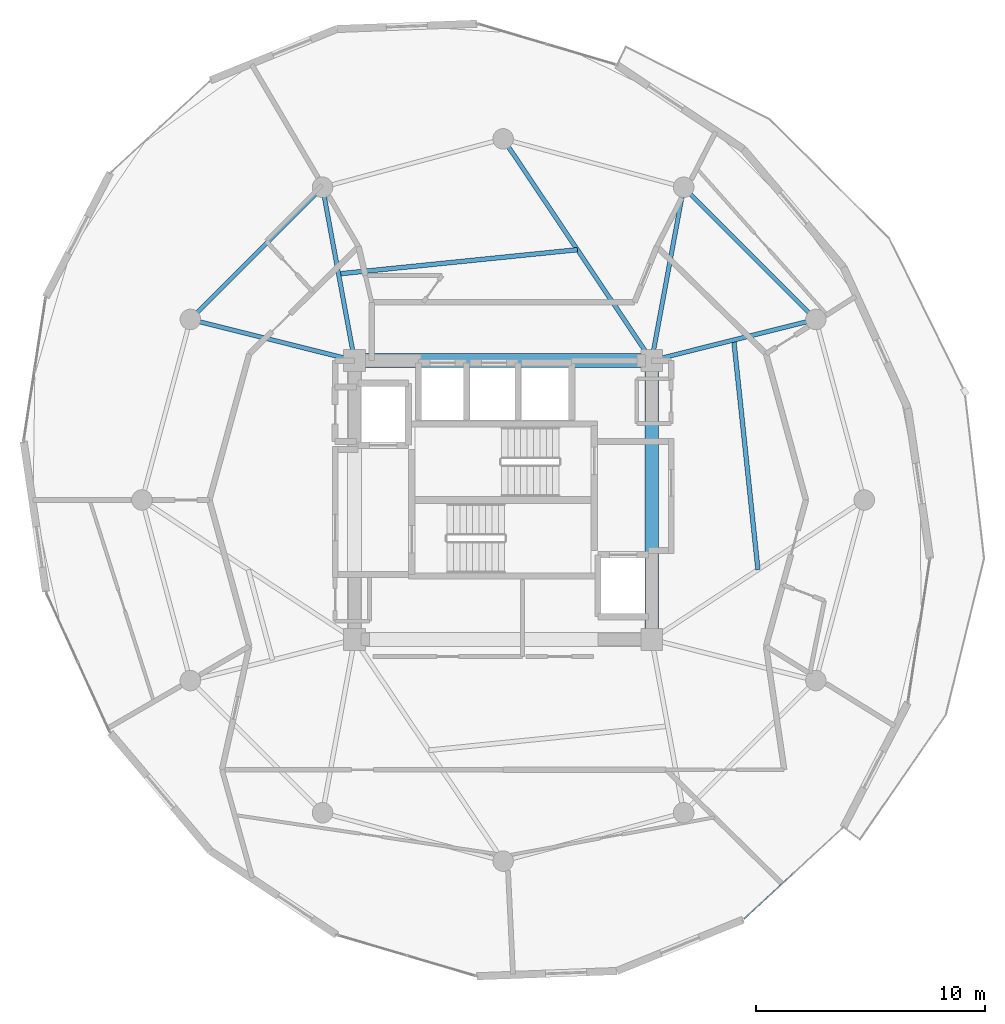
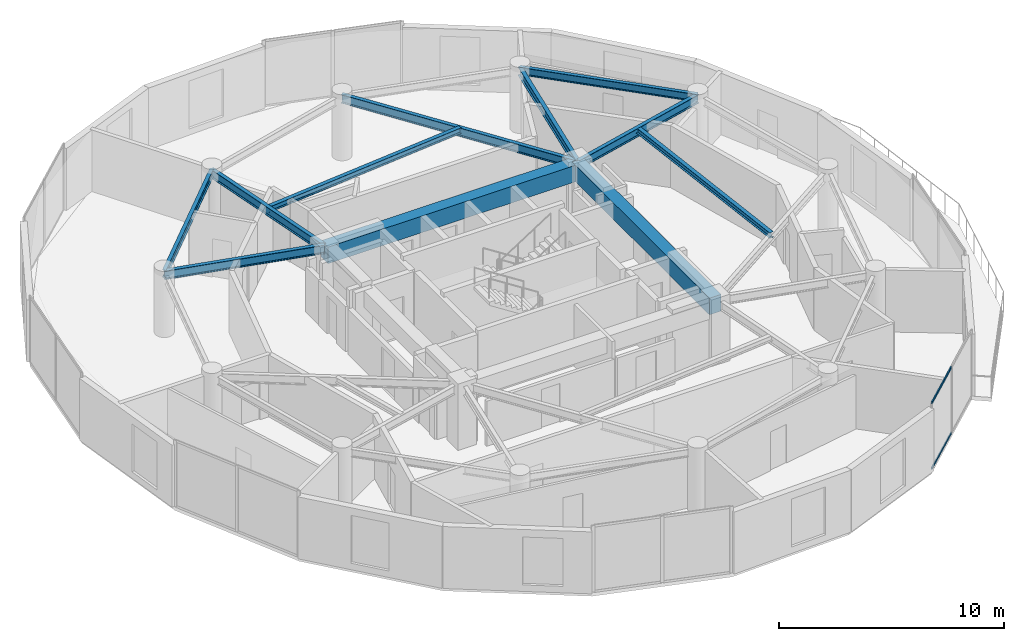
# One storey, part 11 of 24: 11 beams, 2 members, 1 element without a shape of its own.
"""IFC4 building model written with IfcOpenShell, lengths in metres."""

from ifc_helpers import new_model, si_unit, direction, frame, origin, origin_2d, place, context, subcontext, project, spatial, rectangle, hollow_rectangle, i_section, extrude, source, transform, mapped, material, layer, layer_set, material_profile, profile_set, type_object, element, aggregate, save


model = new_model("IFC4")

# Units and contexts
model_context = context("Model", 3, precision=1e-05, world=origin(), true_north=direction((0.0, 1.0)))
body_context = subcontext(model_context, "Body", "Model", "MODEL_VIEW")
ifc_project = project(units=[si_unit("LENGTHUNIT", "METRE"), si_unit("AREAUNIT", "SQUARE_METRE"), si_unit("VOLUMEUNIT", "CUBIC_METRE"), si_unit("PLANEANGLEUNIT", "RADIAN"), si_unit("MASSUNIT", "GRAM", prefix="KILO")], contexts=[model_context])

# Site, building, storey
site_placement = place(None, origin())
site = spatial("IfcSite", under=ifc_project, at=site_placement, CompositionType="ELEMENT")
building_placement = place(site_placement, origin())
building = spatial("IfcBuilding", under=site, at=building_placement, Name="Solvirekh Grand Hotel", CompositionType="ELEMENT")
storey_placement = place(building_placement, frame((0.0, 0.0, 184.0)))
storey = spatial("IfcBuildingStorey", under=building, at=storey_placement, Name="L47", CompositionType="ELEMENT", Elevation=184.0)

# Beams
ifc_material_1 = material(Name="Concrete C50/60", Category="concrete")
ifc_material_profile_1 = material_profile(ifc_material_1, rectangle(XDim=0.60009765625, YDim=0.89990234375, at=origin_2d()), Name="RC BEAM 600X900")
ifc_profile_set_1 = profile_set([ifc_material_profile_1], Name="Concrete C50/60")
beam_type_1 = type_object("IfcBeamType", Name="Beam_Core_RC900", PredefinedType="BEAM", material=ifc_profile_set_1)
beam_1_placement = place(storey_placement, frame((6.5, -6.10009765625, 2.909912109375), z_axis=(0.0, 1.0, 0.0), x_axis=(-1.0, 0.0, 0.0)))
element("IfcBeam", 1, at=beam_1_placement, inside=storey, type_object=beam_type_1, Name="L47 core coupling ring beam 2", PredefinedType="BEAM", context=body_context, shape_type="SweptSolid", body=[
    extrude(rectangle(XDim=0.60009765625, YDim=0.89990234375, at=origin_2d()), origin(), (0.0, 0.0, 1.0), 12.2001953125),
])
beam_2_placement = place(storey_placement, frame((6.5, 6.10009765625, 2.909912109375), z_axis=(-1.0, 0.0, 0.0), x_axis=(0.0, -1.0, 0.0)))
element("IfcBeam", 2, at=beam_2_placement, inside=storey, type_object=beam_type_1, Name="L47 core coupling ring beam 3", PredefinedType="BEAM", context=body_context, shape_type="SweptSolid", body=[
    extrude(rectangle(XDim=0.60009765625, YDim=0.89990234375, at=origin_2d()), origin(), (0.0, 0.0, 1.0), 13.0),
])
ifc_material_2 = material(Name="Steel S355", Category="steel")
ifc_material_profile_2 = material_profile(ifc_material_2, i_section(OverallWidth=0.194091796875, OverallDepth=0.468994140625, WebThickness=0.010986328125, FlangeThickness=0.01904296875, FilletRadius=0.012939453125, at=origin_2d()), Name="W460X106")
ifc_profile_set_2 = profile_set([ifc_material_profile_2], Name="Steel S355")
beam_type_2 = type_object("IfcBeamType", Name="Beam_Radial_W460H", PredefinedType="BEAM", material=ifc_profile_set_2)
beam_3_placement = place(storey_placement, frame((6.5, 6.10009765625, 3.1259765625), z_axis=(0.970014367692, 0.243047580675, 0.0), x_axis=(-0.243047580675, 0.970014367692, 0.0)))
element("IfcBeam", 3, at=beam_3_placement, inside=storey, type_object=beam_type_2, Name="L47 radial floor beam R02", PredefinedType="BEAM", context=body_context, shape_type="SweptSolid", body=[
    extrude(i_section(OverallWidth=0.194091796875, OverallDepth=0.468994140625, WebThickness=0.010986328125, FlangeThickness=0.01904296875, FilletRadius=0.012939453125, at=origin_2d()), origin(), (0.0, 0.0, 1.0), 7.4052734375),
])
beam_4_placement = place(storey_placement, frame((6.5, 6.10009765625, 3.1259765625), z_axis=(0.181542769111, 0.983383049978, 0.0), x_axis=(-0.983383049978, 0.181542769111, 0.0)))
element("IfcBeam", 4, at=beam_4_placement, inside=storey, type_object=beam_type_2, Name="L47 radial floor beam R03", PredefinedType="BEAM", context=body_context, shape_type="SweptSolid", body=[
    extrude(i_section(OverallWidth=0.194091796875, OverallDepth=0.468994140625, WebThickness=0.010986328125, FlangeThickness=0.01904296875, FilletRadius=0.012939453125, at=origin_2d()), origin(), (0.0, 0.0, 1.0), 7.711181640625),
])
beam_5_placement = place(storey_placement, frame((6.5, 6.10009765625, 3.1259765625), z_axis=(-0.556676926176, 0.830729077295, 0.0), x_axis=(-0.830729077295, -0.556676926176, 0.0)))
element("IfcBeam", 5, at=beam_5_placement, inside=storey, type_object=beam_type_2, Name="L47 radial floor beam R04", PredefinedType="BEAM", context=body_context, shape_type="SweptSolid", body=[
    extrude(i_section(OverallWidth=0.194091796875, OverallDepth=0.468994140625, WebThickness=0.010986328125, FlangeThickness=0.01904296875, FilletRadius=0.012939453125, at=origin_2d()), origin(), (0.0, 0.0, 1.0), 11.676513671875),
])
beam_6_placement = place(storey_placement, frame((-6.5, 6.10009765625, 3.1259765625), z_axis=(-0.181542769111, 0.983383049978, 0.0), x_axis=(-0.983383049978, -0.181542769111, 0.0)))
element("IfcBeam", 6, at=beam_6_placement, inside=storey, type_object=beam_type_2, Name="L47 radial floor beam R05", PredefinedType="BEAM", context=body_context, shape_type="SweptSolid", body=[
    extrude(i_section(OverallWidth=0.194091796875, OverallDepth=0.468994140625, WebThickness=0.010986328125, FlangeThickness=0.01904296875, FilletRadius=0.012939453125, at=origin_2d()), origin(), (0.0, 0.0, 1.0), 7.711181640625),
])
beam_7_placement = place(storey_placement, frame((-6.5, 6.10009765625, 3.1259765625), z_axis=(-0.970014367692, 0.243047580675, 0.0), x_axis=(-0.243047580675, -0.970014367692, 0.0)))
element("IfcBeam", 7, at=beam_7_placement, inside=storey, type_object=beam_type_2, Name="L47 radial floor beam R06", PredefinedType="BEAM", context=body_context, shape_type="SweptSolid", body=[
    extrude(i_section(OverallWidth=0.194091796875, OverallDepth=0.468994140625, WebThickness=0.010986328125, FlangeThickness=0.01904296875, FilletRadius=0.012939453125, at=origin_2d()), origin(), (0.0, 0.0, 1.0), 7.4052734375),
])
ifc_material_profile_3 = material_profile(ifc_material_2, i_section(OverallWidth=0.202880859375, OverallDepth=0.302978515625, WebThickness=0.008056640625, FlangeThickness=0.012939453125, FilletRadius=0.010009765625, at=origin_2d()), Name="W310X60")
ifc_profile_set_3 = profile_set([ifc_material_profile_3], Name="Steel S355")
beam_type_3 = type_object("IfcBeamType", Name="Joist_Floor_W310", PredefinedType="JOIST", material=ifc_profile_set_3)
beam_8_placement = place(storey_placement, frame((11.14990234375, -3.050048828125, 3.208984375), z_axis=(-0.1047765874, 0.994495785176, 0.0), x_axis=(-0.994495785176, -0.1047765874, 0.0)))
element("IfcBeam", 8, at=beam_8_placement, inside=storey, type_object=beam_type_3, Name="L47 secondary composite floor joist 1", PredefinedType="JOIST", context=body_context, shape_type="SweptSolid", body=[
    extrude(i_section(OverallWidth=0.202880859375, OverallDepth=0.302978515625, WebThickness=0.008056640625, FlangeThickness=0.012939453125, FilletRadius=0.010009765625, at=origin_2d()), origin(), (0.0, 0.0, 1.0), 10.105712890625),
])
beam_9_placement = place(storey_placement, frame((3.25, 10.949951171875, 3.208984375), z_axis=(-0.994915167737, -0.100716478326, 0.0), x_axis=(0.100716478326, -0.994915167737, 0.0)))
element("IfcBeam", 9, at=beam_9_placement, inside=storey, type_object=beam_type_3, Name="L47 secondary composite floor joist 4", PredefinedType="JOIST", context=body_context, shape_type="SweptSolid", body=[
    extrude(i_section(OverallWidth=0.202880859375, OverallDepth=0.302978515625, WebThickness=0.008056640625, FlangeThickness=0.012939453125, FilletRadius=0.010009765625, at=origin_2d()), origin(), (0.0, 0.0, 1.0), 10.50341796875),
])
ifc_material_profile_4 = material_profile(ifc_material_2, i_section(OverallWidth=0.180908203125, OverallDepth=0.4169921875, WebThickness=0.010009765625, FlangeThickness=0.01611328125, FilletRadius=0.011962890625, at=origin_2d()), Name="W410X85")
ifc_profile_set_4 = profile_set([ifc_material_profile_4], Name="Steel S355")
beam_type_4 = type_object("IfcBeamType", Name="Spandrel_Ring_W410", PredefinedType="SPANDREL", material=ifc_profile_set_4)
for number, where, z_axis, x_axis, name in (
    (10, (13.68310546875, 7.89990234375, 3.152099609375), (-0.707106781187, 0.707106781187, 0.0), (-0.707106781187, -0.707106781187, 0.0), "L47 perimeter spandrel beam 2"),
    (11, (-7.89990234375, 13.68310546875, 3.152099609375), (-0.707106781187, -0.707106781187, 0.0), (0.707106781187, -0.707106781187, 0.0), "L47 perimeter spandrel beam 5"),
):
    element("IfcBeam", number, at=place(storey_placement, frame(where, z_axis=z_axis, x_axis=x_axis)), inside=storey, type_object=beam_type_4, Name=name, PredefinedType="SPANDREL", context=body_context, shape_type="SweptSolid", body=[
        extrude(i_section(OverallWidth=0.180908203125, OverallDepth=0.4169921875, WebThickness=0.010009765625, FlangeThickness=0.01611328125, FilletRadius=0.011962890625, at=origin_2d()), origin(), (0.0, 0.0, 1.0), 8.1787109375),
    ])

# Curtain wall, members
ifc_material_3 = material(Name="Anodized Bronze Aluminium 6063-T6", Category="aluminium")
ifc_layer = layer(ifc_material_3, 0.159912109375)
ifc_layer_set = layer_set([ifc_layer], Name="Anodized Bronze Aluminium 6063-T6")
curtain_wall_type = type_object("IfcCurtainWallType", Name="CW_Sys4_HighZoneFlushBronzeCW", PredefinedType="NOTDEFINED", material=ifc_layer_set)
curtain_wall_placement = place(storey_placement, origin())
curtain_wall = element("IfcCurtainWall", 12, at=curtain_wall_placement, inside=storey, type_object=curtain_wall_type, Name="L47 unitised bronze-glass curtain wall CW-L47-C01", PredefinedType="NOTDEFINED")
ifc_material_profile_5 = material_profile(ifc_material_3, hollow_rectangle(XDim=0.054931640625, YDim=0.1201171875, WallThickness=0.00390625, at=origin_2d()), Name="ALU RHS 120X55X4")
ifc_profile_set_5 = profile_set([ifc_material_profile_5], Name="Anodized Bronze Aluminium 6063-T6")
member_type = type_object("IfcMemberType", Name="CWTransom_Sys4", PredefinedType="USERDEFINED", material=ifc_profile_set_5)
shared_shape = source(origin(), body_context, "Body", "SweptSolid", [
    extrude(hollow_rectangle(XDim=0.054931640625, YDim=0.1201171875, WallThickness=0.00390625, at=origin_2d()), origin(), (0.0, 0.0, 1.0), 2.8935546875),
])
member_1_placement = place(storey_placement, frame((10.548095703125, -18.3232421875, 0.027587890625), z_axis=(0.73521088161, 0.677838446506, 0.0), x_axis=(-0.677838446506, 0.73521088161, 0.0)))
member_1 = element("IfcMember", 13, at=member_1_placement, type_object=member_type, Name="U04 transom 1.1", ObjectType="TRANSOM", PredefinedType="USERDEFINED", context=body_context, shape_type="MappedRepresentation", body=[
    mapped(shared_shape, transform((0.0, 0.0, 0.0), x_axis=(1.0, 0.0, 0.0), y_axis=(0.0, 1.0, 0.0), z_axis=(0.0, 0.0, 1.0), scale=1.0)),
])
member_2_placement = place(storey_placement, frame((10.548095703125, -18.3232421875, 3.572509765625), z_axis=(0.73521088161, 0.677838446506, 0.0), x_axis=(-0.677838446506, 0.73521088161, 0.0)))
member_2 = element("IfcMember", 14, at=member_2_placement, type_object=member_type, Name="U04 transom 1.2", ObjectType="TRANSOM", PredefinedType="USERDEFINED", context=body_context, shape_type="MappedRepresentation", body=[
    mapped(shared_shape, transform((0.0, 0.0, 0.0), x_axis=(1.0, 0.0, 0.0), y_axis=(0.0, 1.0, 0.0), z_axis=(0.0, 0.0, 1.0), scale=1.0)),
])
aggregate(curtain_wall, [member_1, member_2])

save(model, "model.ifc")
